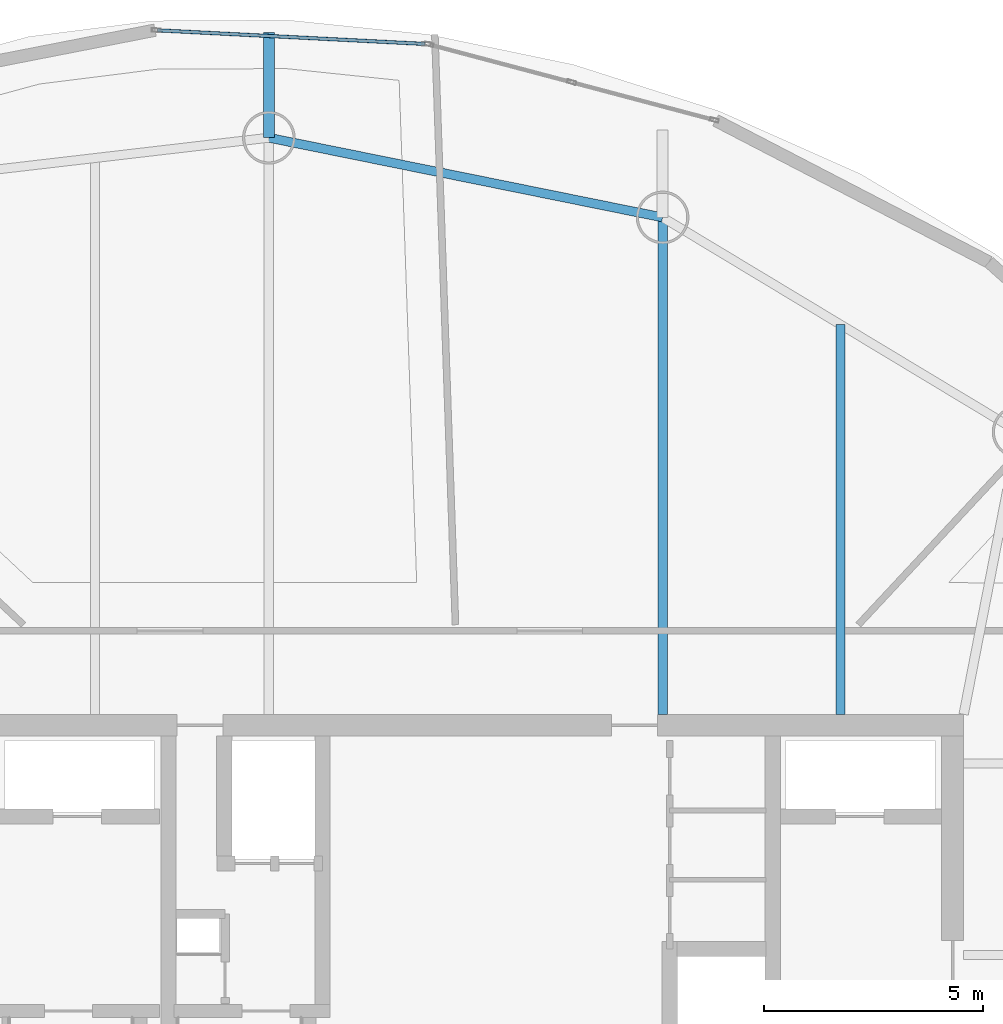
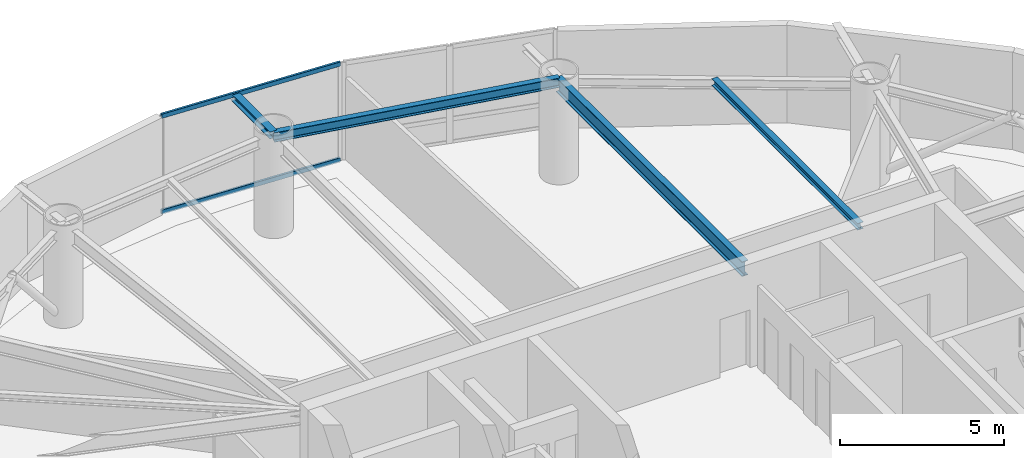
# One storey, part 12 of 20: 4 beams, 2 members, 1 element without a shape of its own.
"""IFC4 building model written with IfcOpenShell, lengths in metres."""

from ifc_helpers import new_model, si_unit, direction, frame, origin, origin_2d, place, context, subcontext, project, spatial, hollow_rectangle, i_section, extrude, material, layer, layer_set, material_profile, profile_set, type_object, element, aggregate, save


model = new_model("IFC4")

# Units and contexts
model_context = context("Model", 3, precision=1e-05, world=origin(), true_north=direction((0.0, 1.0)))
body_context = subcontext(model_context, "Body", "Model", "MODEL_VIEW")
ifc_project = project(units=[si_unit("LENGTHUNIT", "METRE"), si_unit("AREAUNIT", "SQUARE_METRE"), si_unit("VOLUMEUNIT", "CUBIC_METRE"), si_unit("PLANEANGLEUNIT", "RADIAN"), si_unit("MASSUNIT", "GRAM", prefix="KILO")], contexts=[model_context])

# Site, building, storey
site_placement = place(None, origin())
site = spatial("IfcSite", under=ifc_project, at=site_placement, CompositionType="ELEMENT")
building_placement = place(site_placement, origin())
building = spatial("IfcBuilding", under=site, at=building_placement, Name="Bramvorn Convention Spire", CompositionType="ELEMENT")
storey_placement = place(building_placement, frame((0.0, 0.0, 228.949951171875)))
storey = spatial("IfcBuildingStorey", under=building, at=storey_placement, Name="L58", CompositionType="ELEMENT", Elevation=228.949951171875)

# Beams
ifc_material_1 = material(Name="Steel CSA G40.21 Grade 350 (350W)", Category="steel")
ifc_material_profile_1 = material_profile(ifc_material_1, i_section(OverallWidth=0.201904296875, OverallDepth=0.2470703125, WebThickness=0.00732421875, FlangeThickness=0.010986328125, FilletRadius=0.011962890625, at=origin_2d()))
ifc_profile_set_1 = profile_set([ifc_material_profile_1], Name="Steel CSA G40.21 Grade 350 (350W) - W250X49")
beam_type_1 = type_object("IfcBeamType", Name="BM-W250X49", PredefinedType="JOIST", material=ifc_profile_set_1)
beam_1_placement = place(storey_placement, frame((46.445556640625, 33.449951171875, 3.49658203125), z_axis=(0.0, 1.0, 0.0), x_axis=(-1.0, 0.0, 0.0)))
element("IfcBeam", 1, at=beam_1_placement, inside=storey, type_object=beam_type_1, Name="L58 composite floor joist 05", PredefinedType="JOIST", context=body_context, shape_type="SweptSolid", body=[
    extrude(i_section(OverallWidth=0.201904296875, OverallDepth=0.2470703125, WebThickness=0.00732421875, FlangeThickness=0.010986328125, FilletRadius=0.011962890625, at=origin_2d()), origin(), (0.0, 0.0, 1.0), 8.878662109375),
])
ifc_material_profile_2 = material_profile(ifc_material_1, i_section(OverallWidth=0.25390625, OverallDepth=0.2529296875, WebThickness=0.008544921875, FlangeThickness=0.01416015625, FilletRadius=0.011962890625, at=origin_2d()))
ifc_profile_set_2 = profile_set([ifc_material_profile_2], Name="Steel CSA G40.21 Grade 350 (350W) - W250X73")
beam_type_2 = type_object("IfcBeamType", Name="BM-W250X73", PredefinedType="BEAM", material=ifc_profile_set_2)
beam_2_placement = place(storey_placement, frame((33.416259765625, 46.58837890625, 3.49365234375), z_axis=(0.0, 1.0, 0.0), x_axis=(-1.0, 0.0, 0.0)))
element("IfcBeam", 2, at=beam_2_placement, inside=storey, type_object=beam_type_2, Name="L58 slab-edge cantilever tip beam MC07", PredefinedType="BEAM", context=body_context, shape_type="SweptSolid", body=[
    extrude(i_section(OverallWidth=0.25390625, OverallDepth=0.2529296875, WebThickness=0.008544921875, FlangeThickness=0.01416015625, FilletRadius=0.011962890625, at=origin_2d()), origin(), (0.0, 0.0, 1.0), 2.40185546875),
])
ifc_material_profile_3 = material_profile(ifc_material_1, i_section(OverallWidth=0.205078125, OverallDepth=0.35400390625, WebThickness=0.009521484375, FlangeThickness=0.016845703125, FilletRadius=0.014892578125, at=origin_2d()))
ifc_profile_set_3 = profile_set([ifc_material_profile_3], Name="Steel CSA G40.21 Grade 350 (350W) - W360X79")
beam_type_3 = type_object("IfcBeamType", Name="BM-W360X79", PredefinedType="JOIST", material=ifc_profile_set_3)
beam_3_placement = place(storey_placement, frame((42.38916015625, 44.772216796875, 3.443115234375), z_axis=(-0.980124701676, 0.198382381187, 0.0), x_axis=(-0.198382381187, -0.980124701676, 0.0)))
element("IfcBeam", 3, at=beam_3_placement, inside=storey, type_object=beam_type_3, Name="L58 mega-column ring beam 06", PredefinedType="JOIST", context=body_context, shape_type="SweptSolid", body=[
    extrude(i_section(OverallWidth=0.205078125, OverallDepth=0.35400390625, WebThickness=0.009521484375, FlangeThickness=0.016845703125, FilletRadius=0.014892578125, at=origin_2d()), origin(), (0.0, 0.0, 1.0), 9.15478515625),
])
ifc_material_profile_4 = material_profile(ifc_material_1, i_section(OverallWidth=0.2119140625, OverallDepth=0.5439453125, WebThickness=0.01318359375, FlangeThickness=0.021240234375, FilletRadius=0.01904296875, at=origin_2d()))
ifc_profile_set_4 = profile_set([ifc_material_profile_4], Name="Steel CSA G40.21 Grade 350 (350W) - W530X123")
beam_type_4 = type_object("IfcBeamType", Name="BM-W530X123", PredefinedType="BEAM", material=ifc_profile_set_4)
beam_4_placement = place(storey_placement, frame((42.38916015625, 33.449951171875, 3.34814453125), z_axis=(0.0, 1.0, 0.0), x_axis=(-1.0, 0.0, 0.0)))
element("IfcBeam", 4, at=beam_4_placement, inside=storey, type_object=beam_type_4, Name="L58 radial floor girder MC06", PredefinedType="BEAM", context=body_context, shape_type="SweptSolid", body=[
    extrude(i_section(OverallWidth=0.2119140625, OverallDepth=0.5439453125, WebThickness=0.01318359375, FlangeThickness=0.021240234375, FilletRadius=0.01904296875, at=origin_2d()), origin(), (0.0, 0.0, 1.0), 11.322265625),
])

# Curtain wall, members
ifc_material_2 = material(Name="Anodised Bronze Unitised Curtain Wall", Category="aluminium")
ifc_layer = layer(ifc_material_2, 0.179931640625)
ifc_layer_set = layer_set([ifc_layer], Name="Anodised Bronze Unitised Curtain Wall - CW-OFF-FRIT")
curtain_wall_type = type_object("IfcCurtainWallType", Name="CW-OFF-FRIT", PredefinedType="USERDEFINED", material=ifc_layer_set)
curtain_wall_placement = place(storey_placement, origin())
curtain_wall = element("IfcCurtainWall", 5, at=curtain_wall_placement, inside=storey, type_object=curtain_wall_type, Name="L58 fritted glass curtain wall 10", ObjectType="UNITISED CURTAIN WALL", PredefinedType="USERDEFINED")
ifc_material_3 = material(Name="Anodised Bronze Aluminium 6063-T6", Category="aluminium")
ifc_material_profile_5 = material_profile(ifc_material_3, hollow_rectangle(XDim=0.080078125, YDim=0.159912109375, WallThickness=0.00390625, InnerFilletRadius=0.0009765625, OuterFilletRadius=0.00390625, at=origin_2d()))
ifc_profile_set_5 = profile_set([ifc_material_profile_5], Name="Anodised Bronze Aluminium 6063-T6 - CWT80X160")
member_type = type_object("IfcMemberType", Name="CW-TRN-150", PredefinedType="USERDEFINED", material=ifc_profile_set_5)
member_1_placement = place(storey_placement, frame((30.880615234375, 49.036376953125, 0.030029296875), z_axis=(0.998701887062, -0.050936634938, 0.0), x_axis=(0.050936634938, 0.998701887062, 0.0)))
member_1 = element("IfcMember", 6, at=member_1_placement, type_object=member_type, Name="CW3 transom 1.1", ObjectType="TRANSOM", PredefinedType="USERDEFINED", context=body_context, shape_type="SweptSolid", body=[
    extrude(hollow_rectangle(XDim=0.080078125, YDim=0.159912109375, WallThickness=0.00390625, InnerFilletRadius=0.0009765625, OuterFilletRadius=0.00390625, at=origin_2d()), origin(), (0.0, 0.0, 1.0), 6.106201171875),
])
member_2_placement = place(storey_placement, frame((30.880615234375, 49.036376953125, 3.590087890625), z_axis=(0.998701887062, -0.050936634938, 0.0), x_axis=(0.050936634938, 0.998701887062, 0.0)))
member_2 = element("IfcMember", 7, at=member_2_placement, type_object=member_type, Name="CW3 transom 1.2", ObjectType="TRANSOM", PredefinedType="USERDEFINED", context=body_context, shape_type="SweptSolid", body=[
    extrude(hollow_rectangle(XDim=0.080078125, YDim=0.159912109375, WallThickness=0.00390625, InnerFilletRadius=0.0009765625, OuterFilletRadius=0.00390625, at=origin_2d()), origin(), (0.0, 0.0, 1.0), 6.106201171875),
])
aggregate(curtain_wall, [member_1, member_2])

save(model, "model.ifc")
